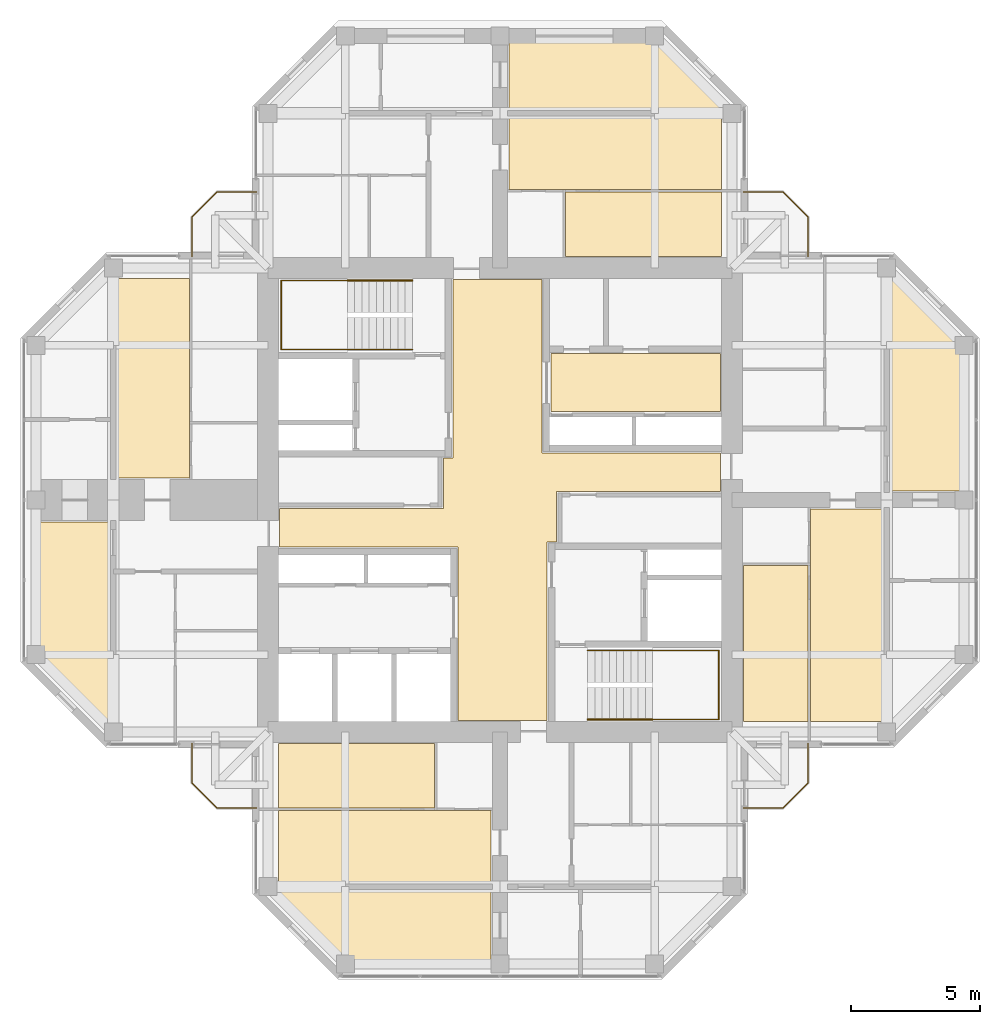
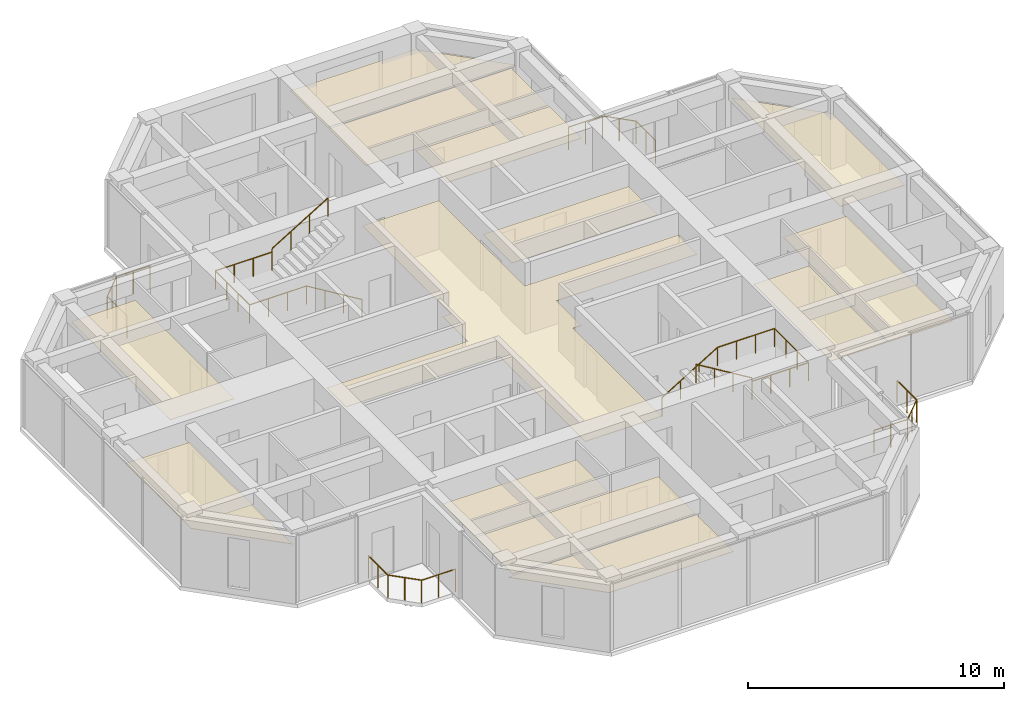
# One storey, part 13 of 13: 13 coverings, 8 railings.
"""IFC4 building model written with IfcOpenShell, lengths in metres."""

from ifc_helpers import new_model, si_unit, direction, frame, origin, origin_2d, place, context, subcontext, project, spatial, polyline, circle, outline, extrude, material, layer, layer_set, constituent, constituent_set, type_object, element, save


model = new_model("IFC4")

# Units and contexts
model_context = context("Model", 3, precision=1e-05, world=origin(), true_north=direction((0.0, 1.0)))
body_context = subcontext(model_context, "Body", "Model", "MODEL_VIEW")
ifc_project = project(units=[si_unit("LENGTHUNIT", "METRE"), si_unit("AREAUNIT", "SQUARE_METRE"), si_unit("VOLUMEUNIT", "CUBIC_METRE"), si_unit("PLANEANGLEUNIT", "RADIAN"), si_unit("MASSUNIT", "GRAM", prefix="KILO")], contexts=[model_context])

# Site, building, storey
site_placement = place(None, origin())
site = spatial("IfcSite", under=ifc_project, at=site_placement, CompositionType="ELEMENT")
building_placement = place(site_placement, origin())
building = spatial("IfcBuilding", under=site, at=building_placement, Name="Torre Cruceta", CompositionType="ELEMENT")
storey_placement = place(building_placement, frame((0.0, 0.0, 264.5)))
storey = spatial("IfcBuildingStorey", under=building, at=storey_placement, Name="L68", CompositionType="ELEMENT", Elevation=264.5)

# Railings
ifc_material_1 = material(Name="Stainless steel 1.4401", Category="steel")
ifc_constituent_1 = constituent(ifc_material_1, Name="Frame")
ifc_material_2 = material(Name="Laminated safety glass", Category="glass")
ifc_constituent_2 = constituent(ifc_material_2, Name="Infill")
ifc_constituent_set = constituent_set(constituents=[ifc_constituent_1, ifc_constituent_2], Name="Stainless steel and laminated glass balustrade")
railing_type_1 = type_object("IfcRailingType", Name="BALCONY BALUSTRADE 1100", PredefinedType="BALUSTRADE", material=ifc_constituent_set)
railing_1_placement = place(storey_placement, frame((-9.449951171875, 11.949951171875, 0.0)))
element("IfcRailing", 1, at=railing_1_placement, inside=storey, type_object=railing_type_1, Name="BL1 balcony balustrade L68 N", PredefinedType="BALUSTRADE", context=body_context, shape_type="SweptSolid", body=[
    extrude(circle(Radius=0.02392578125, at=origin_2d()), frame((0.0, 0.0, 1.076171875), z_axis=(-1.0, 0.0, 0.0), x_axis=(0.0, -1.0, 0.0)), (0.0, 0.0, 1.0), 1.529296875),
    extrude(circle(Radius=0.02392578125, at=origin_2d()), frame((-1.529296875, 0.0, 1.076171875), z_axis=(-0.707106781187, -0.707106781187, 0.0), x_axis=(0.707106781187, -0.707106781187, 0.0)), (0.0, 0.0, 1.0), 1.372802734375),
    extrude(circle(Radius=0.02392578125, at=origin_2d()), frame((-2.5, -0.970703125, 1.076171875), z_axis=(0.0, -1.0, 0.0), x_axis=(1.0, 0.0, 0.0)), (0.0, 0.0, 1.0), 1.529296875),
    extrude(circle(Radius=0.02099609375, at=origin_2d()), origin(), (0.0, 0.0, 1.0), 1.052001953125),
    extrude(circle(Radius=0.02099609375, at=origin_2d()), frame((-0.7646484375, 0.0, 0.0)), (0.0, 0.0, 1.0), 1.052001953125),
    extrude(circle(Radius=0.02099609375, at=origin_2d()), frame((-1.529296875, 0.0, 0.0)), (0.0, 0.0, 1.0), 1.052001953125),
    extrude(circle(Radius=0.02099609375, at=origin_2d()), frame((-2.0146484375, -0.4853515625, 0.0)), (0.0, 0.0, 1.0), 1.052001953125),
    extrude(circle(Radius=0.02099609375, at=origin_2d()), frame((-2.5, -0.970703125, 0.0)), (0.0, 0.0, 1.0), 1.052001953125),
    extrude(circle(Radius=0.02099609375, at=origin_2d()), frame((-2.5, -1.7353515625, 0.0)), (0.0, 0.0, 1.0), 1.052001953125),
    extrude(circle(Radius=0.02099609375, at=origin_2d()), frame((-2.5, -2.5, 0.0)), (0.0, 0.0, 1.0), 1.052001953125),
])
railing_2_placement = place(storey_placement, frame((9.449951171875, 11.949951171875, 0.0)))
element("IfcRailing", 2, at=railing_2_placement, inside=storey, type_object=railing_type_1, Name="BL1 balcony balustrade L68 E", PredefinedType="BALUSTRADE", context=body_context, shape_type="SweptSolid", body=[
    extrude(circle(Radius=0.02392578125, at=origin_2d()), frame((0.0, 0.0, 1.076171875), z_axis=(1.0, 0.0, 0.0), x_axis=(0.0, 1.0, 0.0)), (0.0, 0.0, 1.0), 1.529296875),
    extrude(circle(Radius=0.02392578125, at=origin_2d()), frame((1.529296875, 0.0, 1.076171875), z_axis=(0.707106781187, -0.707106781187, 0.0), x_axis=(0.707106781187, 0.707106781187, 0.0)), (0.0, 0.0, 1.0), 1.372802734375),
    extrude(circle(Radius=0.02392578125, at=origin_2d()), frame((2.5, -0.970703125, 1.076171875), z_axis=(0.0, -1.0, 0.0), x_axis=(1.0, 0.0, 0.0)), (0.0, 0.0, 1.0), 1.529296875),
    extrude(circle(Radius=0.02099609375, at=origin_2d()), origin(), (0.0, 0.0, 1.0), 1.052001953125),
    extrude(circle(Radius=0.02099609375, at=origin_2d()), frame((0.7646484375, 0.0, 0.0)), (0.0, 0.0, 1.0), 1.052001953125),
    extrude(circle(Radius=0.02099609375, at=origin_2d()), frame((1.529296875, 0.0, 0.0)), (0.0, 0.0, 1.0), 1.052001953125),
    extrude(circle(Radius=0.02099609375, at=origin_2d()), frame((2.0146484375, -0.4853515625, 0.0)), (0.0, 0.0, 1.0), 1.052001953125),
    extrude(circle(Radius=0.02099609375, at=origin_2d()), frame((2.5, -0.970703125, 0.0)), (0.0, 0.0, 1.0), 1.052001953125),
    extrude(circle(Radius=0.02099609375, at=origin_2d()), frame((2.5, -1.7353515625, 0.0)), (0.0, 0.0, 1.0), 1.052001953125),
    extrude(circle(Radius=0.02099609375, at=origin_2d()), frame((2.5, -2.5, 0.0)), (0.0, 0.0, 1.0), 1.052001953125),
])
railing_3_placement = place(storey_placement, frame((9.449951171875, -11.949951171875, 0.0)))
element("IfcRailing", 3, at=railing_3_placement, inside=storey, type_object=railing_type_1, Name="BL1 balcony balustrade L68 S", PredefinedType="BALUSTRADE", context=body_context, shape_type="SweptSolid", body=[
    extrude(circle(Radius=0.02392578125, at=origin_2d()), frame((0.0, 0.0, 1.076171875), z_axis=(1.0, 0.0, 0.0), x_axis=(0.0, 1.0, 0.0)), (0.0, 0.0, 1.0), 1.529296875),
    extrude(circle(Radius=0.02392578125, at=origin_2d()), frame((1.529296875, 0.0, 1.076171875), z_axis=(0.707106781187, 0.707106781187, 0.0), x_axis=(-0.707106781187, 0.707106781187, 0.0)), (0.0, 0.0, 1.0), 1.372802734375),
    extrude(circle(Radius=0.02392578125, at=origin_2d()), frame((2.5, 0.970703125, 1.076171875), z_axis=(0.0, 1.0, 0.0), x_axis=(-1.0, 0.0, 0.0)), (0.0, 0.0, 1.0), 1.529296875),
    extrude(circle(Radius=0.02099609375, at=origin_2d()), origin(), (0.0, 0.0, 1.0), 1.052001953125),
    extrude(circle(Radius=0.02099609375, at=origin_2d()), frame((0.7646484375, 0.0, 0.0)), (0.0, 0.0, 1.0), 1.052001953125),
    extrude(circle(Radius=0.02099609375, at=origin_2d()), frame((1.529296875, 0.0, 0.0)), (0.0, 0.0, 1.0), 1.052001953125),
    extrude(circle(Radius=0.02099609375, at=origin_2d()), frame((2.0146484375, 0.4853515625, 0.0)), (0.0, 0.0, 1.0), 1.052001953125),
    extrude(circle(Radius=0.02099609375, at=origin_2d()), frame((2.5, 0.970703125, 0.0)), (0.0, 0.0, 1.0), 1.052001953125),
    extrude(circle(Radius=0.02099609375, at=origin_2d()), frame((2.5, 1.7353515625, 0.0)), (0.0, 0.0, 1.0), 1.052001953125),
    extrude(circle(Radius=0.02099609375, at=origin_2d()), frame((2.5, 2.5, 0.0)), (0.0, 0.0, 1.0), 1.052001953125),
])
railing_4_placement = place(storey_placement, frame((-9.449951171875, -11.949951171875, 0.0)))
element("IfcRailing", 4, at=railing_4_placement, inside=storey, type_object=railing_type_1, Name="BL1 balcony balustrade L68 W", PredefinedType="BALUSTRADE", context=body_context, shape_type="SweptSolid", body=[
    extrude(circle(Radius=0.02392578125, at=origin_2d()), frame((0.0, 0.0, 1.076171875), z_axis=(-1.0, 0.0, 0.0), x_axis=(0.0, -1.0, 0.0)), (0.0, 0.0, 1.0), 1.529296875),
    extrude(circle(Radius=0.02392578125, at=origin_2d()), frame((-1.529296875, 0.0, 1.076171875), z_axis=(-0.707106781187, 0.707106781187, 0.0), x_axis=(-0.707106781187, -0.707106781187, 0.0)), (0.0, 0.0, 1.0), 1.372802734375),
    extrude(circle(Radius=0.02392578125, at=origin_2d()), frame((-2.5, 0.970703125, 1.076171875), z_axis=(0.0, 1.0, 0.0), x_axis=(-1.0, 0.0, 0.0)), (0.0, 0.0, 1.0), 1.529296875),
    extrude(circle(Radius=0.02099609375, at=origin_2d()), origin(), (0.0, 0.0, 1.0), 1.052001953125),
    extrude(circle(Radius=0.02099609375, at=origin_2d()), frame((-0.7646484375, 0.0, 0.0)), (0.0, 0.0, 1.0), 1.052001953125),
    extrude(circle(Radius=0.02099609375, at=origin_2d()), frame((-1.529296875, 0.0, 0.0)), (0.0, 0.0, 1.0), 1.052001953125),
    extrude(circle(Radius=0.02099609375, at=origin_2d()), frame((-2.0146484375, 0.4853515625, 0.0)), (0.0, 0.0, 1.0), 1.052001953125),
    extrude(circle(Radius=0.02099609375, at=origin_2d()), frame((-2.5, 0.970703125, 0.0)), (0.0, 0.0, 1.0), 1.052001953125),
    extrude(circle(Radius=0.02099609375, at=origin_2d()), frame((-2.5, 1.7353515625, 0.0)), (0.0, 0.0, 1.0), 1.052001953125),
    extrude(circle(Radius=0.02099609375, at=origin_2d()), frame((-2.5, 2.5, 0.0)), (0.0, 0.0, 1.0), 1.052001953125),
])
ifc_material_3 = material(Name="Stainless steel 1.4401", Category="steel")
railing_type_2 = type_object("IfcRailingType", Name="HANDRAIL 900", PredefinedType="HANDRAIL", material=ifc_material_3)
railing_5_placement = place(storey_placement, frame((-3.39990234375, 5.8349609375, 0.169921875)))
element("IfcRailing", 5, at=railing_5_placement, inside=storey, type_object=railing_type_2, Name="Handrail HR1 ST1 L68", PredefinedType="HANDRAIL", context=body_context, shape_type="SweptSolid", body=[
    extrude(circle(Radius=0.02392578125, at=origin_2d()), frame((0.0, 0.0, 0.8759765625), z_axis=(-0.85478489116, 0.0, 0.518982456201), x_axis=(0.0, -1.0, 0.0)), (0.0, 0.0, 1.0), 2.9482421875),
    extrude(circle(Radius=0.02392578125, at=origin_2d()), frame((-2.52001953125, 0.0, 2.40576171875), z_axis=(-1.0, 0.0, 0.0), x_axis=(0.0, -1.0, 0.0)), (0.0, 0.0, 1.0), 2.570068359375),
    extrude(circle(Radius=0.02392578125, at=origin_2d()), frame((-5.090087890625, 0.0, 2.40576171875), z_axis=(0.0, 1.0, 0.0), x_axis=(-1.0, 0.0, 0.0)), (0.0, 0.0, 1.0), 2.679931640625),
    extrude(circle(Radius=0.02392578125, at=origin_2d()), frame((-5.090087890625, 2.679931640625, 2.40576171875), z_axis=(1.0, 0.0, 0.0), x_axis=(0.0, 1.0, 0.0)), (0.0, 0.0, 1.0), 2.570068359375),
    extrude(circle(Radius=0.02099609375, at=origin_2d()), origin(), (0.0, 0.0, 1.0), 0.851806640625),
    extrude(circle(Radius=0.02099609375, at=origin_2d()), frame((-0.840087890625, 0.0, 0.510009765625)), (0.0, 0.0, 1.0), 0.851806640625),
    extrude(circle(Radius=0.02099609375, at=origin_2d()), frame((-1.679931640625, 0.0, 1.02001953125)), (0.0, 0.0, 1.0), 0.851806640625),
    extrude(circle(Radius=0.02099609375, at=origin_2d()), frame((-2.52001953125, 0.0, 1.530029296875)), (0.0, 0.0, 1.0), 0.851806640625),
    extrude(circle(Radius=0.02099609375, at=origin_2d()), frame((-3.376708984375, 0.0, 1.530029296875)), (0.0, 0.0, 1.0), 0.851806640625),
    extrude(circle(Radius=0.02099609375, at=origin_2d()), frame((-4.2333984375, 0.0, 1.530029296875)), (0.0, 0.0, 1.0), 0.851806640625),
    extrude(circle(Radius=0.02099609375, at=origin_2d()), frame((-5.090087890625, 0.0, 1.530029296875)), (0.0, 0.0, 1.0), 0.851806640625),
    extrude(circle(Radius=0.02099609375, at=origin_2d()), frame((-5.090087890625, 0.893310546875, 1.530029296875)), (0.0, 0.0, 1.0), 0.851806640625),
    extrude(circle(Radius=0.02099609375, at=origin_2d()), frame((-5.090087890625, 1.78662109375, 1.530029296875)), (0.0, 0.0, 1.0), 0.851806640625),
    extrude(circle(Radius=0.02099609375, at=origin_2d()), frame((-5.090087890625, 2.679931640625, 1.530029296875)), (0.0, 0.0, 1.0), 0.851806640625),
    extrude(circle(Radius=0.02099609375, at=origin_2d()), frame((-4.2333984375, 2.679931640625, 1.530029296875)), (0.0, 0.0, 1.0), 0.851806640625),
    extrude(circle(Radius=0.02099609375, at=origin_2d()), frame((-3.376708984375, 2.679931640625, 1.530029296875)), (0.0, 0.0, 1.0), 0.851806640625),
    extrude(circle(Radius=0.02099609375, at=origin_2d()), frame((-2.52001953125, 2.679931640625, 1.530029296875)), (0.0, 0.0, 1.0), 0.851806640625),
])
railing_6_placement = place(storey_placement, frame((-5.919921875, 8.514892578125, 1.8701171875)))
element("IfcRailing", 6, at=railing_6_placement, inside=storey, type_object=railing_type_2, Name="Handrail HR1 ST1 L68", PredefinedType="HANDRAIL", context=body_context, shape_type="SweptSolid", body=[
    extrude(circle(Radius=0.02392578125, at=origin_2d()), frame((0.0, 0.0, 0.8759765625), z_axis=(0.854821627497, 0.0, 0.518921945155), x_axis=(0.0, 1.0, 0.0)), (0.0, 0.0, 1.0), 2.947998046875),
    extrude(circle(Radius=0.02099609375, at=origin_2d()), origin(), (0.0, 0.0, 1.0), 0.851806640625),
    extrude(circle(Radius=0.02099609375, at=origin_2d()), frame((0.840087890625, 0.0, 0.510009765625)), (0.0, 0.0, 1.0), 0.851806640625),
    extrude(circle(Radius=0.02099609375, at=origin_2d()), frame((1.679931640625, 0.0, 1.019775390625)), (0.0, 0.0, 1.0), 0.851806640625),
    extrude(circle(Radius=0.02099609375, at=origin_2d()), frame((2.52001953125, 0.0, 1.52978515625)), (0.0, 0.0, 1.0), 0.851806640625),
])
railing_7_placement = place(storey_placement, frame((3.39990234375, -5.8349609375, 0.169921875)))
element("IfcRailing", 7, at=railing_7_placement, inside=storey, type_object=railing_type_2, Name="Handrail HR1 ST2 L68", PredefinedType="HANDRAIL", context=body_context, shape_type="SweptSolid", body=[
    extrude(circle(Radius=0.02392578125, at=origin_2d()), frame((0.0, 0.0, 0.8759765625), z_axis=(0.85478489116, 0.0, 0.518982456201), x_axis=(0.0, 1.0, 0.0)), (0.0, 0.0, 1.0), 2.9482421875),
    extrude(circle(Radius=0.02392578125, at=origin_2d()), frame((2.52001953125, 0.0, 2.40576171875), z_axis=(1.0, 0.0, 0.0), x_axis=(0.0, 1.0, 0.0)), (0.0, 0.0, 1.0), 2.570068359375),
    extrude(circle(Radius=0.02392578125, at=origin_2d()), frame((5.090087890625, 0.0, 2.40576171875), z_axis=(0.0, -1.0, 0.0), x_axis=(1.0, 0.0, 0.0)), (0.0, 0.0, 1.0), 2.679931640625),
    extrude(circle(Radius=0.02392578125, at=origin_2d()), frame((5.090087890625, -2.679931640625, 2.40576171875), z_axis=(-1.0, 0.0, 0.0), x_axis=(0.0, -1.0, 0.0)), (0.0, 0.0, 1.0), 2.570068359375),
    extrude(circle(Radius=0.02099609375, at=origin_2d()), origin(), (0.0, 0.0, 1.0), 0.851806640625),
    extrude(circle(Radius=0.02099609375, at=origin_2d()), frame((0.840087890625, 0.0, 0.510009765625)), (0.0, 0.0, 1.0), 0.851806640625),
    extrude(circle(Radius=0.02099609375, at=origin_2d()), frame((1.679931640625, 0.0, 1.02001953125)), (0.0, 0.0, 1.0), 0.851806640625),
    extrude(circle(Radius=0.02099609375, at=origin_2d()), frame((2.52001953125, 0.0, 1.530029296875)), (0.0, 0.0, 1.0), 0.851806640625),
    extrude(circle(Radius=0.02099609375, at=origin_2d()), frame((3.376708984375, 0.0, 1.530029296875)), (0.0, 0.0, 1.0), 0.851806640625),
    extrude(circle(Radius=0.02099609375, at=origin_2d()), frame((4.2333984375, 0.0, 1.530029296875)), (0.0, 0.0, 1.0), 0.851806640625),
    extrude(circle(Radius=0.02099609375, at=origin_2d()), frame((5.090087890625, 0.0, 1.530029296875)), (0.0, 0.0, 1.0), 0.851806640625),
    extrude(circle(Radius=0.02099609375, at=origin_2d()), frame((5.090087890625, -0.893310546875, 1.530029296875)), (0.0, 0.0, 1.0), 0.851806640625),
    extrude(circle(Radius=0.02099609375, at=origin_2d()), frame((5.090087890625, -1.78662109375, 1.530029296875)), (0.0, 0.0, 1.0), 0.851806640625),
    extrude(circle(Radius=0.02099609375, at=origin_2d()), frame((5.090087890625, -2.679931640625, 1.530029296875)), (0.0, 0.0, 1.0), 0.851806640625),
    extrude(circle(Radius=0.02099609375, at=origin_2d()), frame((4.2333984375, -2.679931640625, 1.530029296875)), (0.0, 0.0, 1.0), 0.851806640625),
    extrude(circle(Radius=0.02099609375, at=origin_2d()), frame((3.376708984375, -2.679931640625, 1.530029296875)), (0.0, 0.0, 1.0), 0.851806640625),
    extrude(circle(Radius=0.02099609375, at=origin_2d()), frame((2.52001953125, -2.679931640625, 1.530029296875)), (0.0, 0.0, 1.0), 0.851806640625),
])
railing_8_placement = place(storey_placement, frame((5.919921875, -8.514892578125, 1.8701171875)))
element("IfcRailing", 8, at=railing_8_placement, inside=storey, type_object=railing_type_2, Name="Handrail HR1 ST2 L68", PredefinedType="HANDRAIL", context=body_context, shape_type="SweptSolid", body=[
    extrude(circle(Radius=0.02392578125, at=origin_2d()), frame((0.0, 0.0, 0.8759765625), z_axis=(-0.854821627497, 0.0, 0.518921945155), x_axis=(0.0, -1.0, 0.0)), (0.0, 0.0, 1.0), 2.947998046875),
    extrude(circle(Radius=0.02099609375, at=origin_2d()), origin(), (0.0, 0.0, 1.0), 0.851806640625),
    extrude(circle(Radius=0.02099609375, at=origin_2d()), frame((-0.840087890625, 0.0, 0.510009765625)), (0.0, 0.0, 1.0), 0.851806640625),
    extrude(circle(Radius=0.02099609375, at=origin_2d()), frame((-1.679931640625, 0.0, 1.019775390625)), (0.0, 0.0, 1.0), 0.851806640625),
    extrude(circle(Radius=0.02099609375, at=origin_2d()), frame((-2.52001953125, 0.0, 1.52978515625)), (0.0, 0.0, 1.0), 0.851806640625),
])

# Coverings
ifc_material_4 = material(Name="Mineral fibre ceiling tile", Category="gypsum")
ifc_layer = layer(ifc_material_4, 0.02001953125)
ifc_layer_set = layer_set([ifc_layer], Name="Mineral fibre ceiling tile")
covering_type = type_object("IfcCoveringType", Name="SUSPENDED CEILING 20", PredefinedType="CEILING", material=ifc_layer_set)
covering_1_placement = place(storey_placement, frame((0.0, 0.0, 2.35009765625)))
element("IfcCovering", 9, at=covering_1_placement, inside=storey, type_object=covering_type, Name="Ceiling L68-003", PredefinedType="CEILING", context=body_context, shape_type="SweptSolid", body=[
    extrude(outline(polyline([(1.824951171875, -8.550048828125), (-1.625, -8.550048828125), (-1.625, -1.824951171875), (-8.550048828125, -1.824951171875), (-8.550048828125, -0.324951171875), (-2.199951171875, -0.324951171875), (-2.199951171875, 1.625), (-1.824951171875, 1.625), (-1.824951171875, 8.550048828125), (1.625, 8.550048828125), (1.625, 1.824951171875), (8.550048828125, 1.824951171875), (8.550048828125, 0.324951171875), (2.199951171875, 0.324951171875), (2.199951171875, -1.625), (1.824951171875, -1.625), (1.824951171875, -8.550048828125)])), origin(), (0.0, 0.0, 1.0), 0.02001953125),
])
covering_2_placement = place(storey_placement, frame((0.0, 0.0, 2.35009765625)))
element("IfcCovering", 10, at=covering_2_placement, inside=storey, type_object=covering_type, Name="Ceiling L68-006", PredefinedType="CEILING", context=body_context, shape_type="SweptSolid", body=[
    extrude(outline(polyline([(1.97509765625, 3.425048828125), (1.97509765625, 5.675048828125), (8.550048828125, 5.675048828125), (8.550048828125, 3.425048828125), (1.97509765625, 3.425048828125)])), origin(), (0.0, 0.0, 1.0), 0.02001953125),
])
covering_3_placement = place(storey_placement, frame((0.0, 0.0, 2.35009765625)))
element("IfcCovering", 11, at=covering_3_placement, inside=storey, type_object=covering_type, Name="Ceiling L68-027", PredefinedType="CEILING", context=body_context, shape_type="SweptSolid", body=[
    extrude(outline(polyline([(8.60009765625, 14.949951171875), (8.60009765625, 12.050048828125), (0.35009765625, 12.050048828125), (0.35009765625, 14.949951171875), (8.60009765625, 14.949951171875)])), origin(), (0.0, 0.0, 1.0), 0.02001953125),
])
covering_4_placement = place(storey_placement, frame((0.0, 0.0, 2.35009765625)))
element("IfcCovering", 12, at=covering_4_placement, inside=storey, type_object=covering_type, Name="Ceiling L68-028", PredefinedType="CEILING", context=body_context, shape_type="SweptSolid", body=[
    extrude(outline(polyline([(8.60009765625, 9.449951171875), (2.550048828125, 9.449951171875), (2.550048828125, 11.949951171875), (8.60009765625, 11.949951171875), (8.60009765625, 9.449951171875)])), origin(), (0.0, 0.0, 1.0), 0.02001953125),
])
covering_5_placement = place(storey_placement, frame((0.0, 0.0, 2.35009765625)))
element("IfcCovering", 13, at=covering_5_placement, inside=storey, type_object=covering_type, Name="Ceiling L68-032", PredefinedType="CEILING", context=body_context, shape_type="SweptSolid", body=[
    extrude(outline(polyline([(8.87939453125, 15.050048828125), (0.35009765625, 15.050048828125), (0.35009765625, 17.949951171875), (5.979248046875, 17.949951171875), (8.87939453125, 15.050048828125)])), origin(), (0.0, 0.0, 1.0), 0.02001953125),
])
covering_6_placement = place(storey_placement, frame((0.0, 0.0, 2.35009765625)))
element("IfcCovering", 14, at=covering_6_placement, inside=storey, type_object=covering_type, Name="Ceiling L68-037", PredefinedType="CEILING", context=body_context, shape_type="SweptSolid", body=[
    extrude(outline(polyline([(14.949951171875, -8.60009765625), (12.050048828125, -8.60009765625), (12.050048828125, -0.35009765625), (14.949951171875, -0.35009765625), (14.949951171875, -8.60009765625)])), origin(), (0.0, 0.0, 1.0), 0.02001953125),
])
covering_7_placement = place(storey_placement, frame((0.0, 0.0, 2.35009765625)))
element("IfcCovering", 15, at=covering_7_placement, inside=storey, type_object=covering_type, Name="Ceiling L68-038", PredefinedType="CEILING", context=body_context, shape_type="SweptSolid", body=[
    extrude(outline(polyline([(9.449951171875, -8.60009765625), (9.449951171875, -2.550048828125), (11.949951171875, -2.550048828125), (11.949951171875, -8.60009765625), (9.449951171875, -8.60009765625)])), origin(), (0.0, 0.0, 1.0), 0.02001953125),
])
covering_8_placement = place(storey_placement, frame((0.0, 0.0, 2.35009765625)))
element("IfcCovering", 16, at=covering_8_placement, inside=storey, type_object=covering_type, Name="Ceiling L68-040", PredefinedType="CEILING", context=body_context, shape_type="SweptSolid", body=[
    extrude(outline(polyline([(17.949951171875, 5.979248046875), (17.949951171875, 0.35009765625), (15.050048828125, 0.35009765625), (15.050048828125, 8.87939453125), (17.949951171875, 5.979248046875)])), origin(), (0.0, 0.0, 1.0), 0.02001953125),
])
covering_9_placement = place(storey_placement, frame((0.0, 0.0, 2.35009765625)))
element("IfcCovering", 17, at=covering_9_placement, inside=storey, type_object=covering_type, Name="Ceiling L68-047", PredefinedType="CEILING", context=body_context, shape_type="SweptSolid", body=[
    extrude(outline(polyline([(-8.60009765625, -14.949951171875), (-8.60009765625, -12.050048828125), (-0.35009765625, -12.050048828125), (-0.35009765625, -14.949951171875), (-8.60009765625, -14.949951171875)])), origin(), (0.0, 0.0, 1.0), 0.02001953125),
])
covering_10_placement = place(storey_placement, frame((0.0, 0.0, 2.35009765625)))
element("IfcCovering", 18, at=covering_10_placement, inside=storey, type_object=covering_type, Name="Ceiling L68-048", PredefinedType="CEILING", context=body_context, shape_type="SweptSolid", body=[
    extrude(outline(polyline([(-8.60009765625, -9.449951171875), (-2.550048828125, -9.449951171875), (-2.550048828125, -11.949951171875), (-8.60009765625, -11.949951171875), (-8.60009765625, -9.449951171875)])), origin(), (0.0, 0.0, 1.0), 0.02001953125),
])
covering_11_placement = place(storey_placement, frame((0.0, 0.0, 2.35009765625)))
element("IfcCovering", 19, at=covering_11_placement, inside=storey, type_object=covering_type, Name="Ceiling L68-052", PredefinedType="CEILING", context=body_context, shape_type="SweptSolid", body=[
    extrude(outline(polyline([(-8.87939453125, -15.050048828125), (-0.35009765625, -15.050048828125), (-0.35009765625, -17.949951171875), (-5.979248046875, -17.949951171875), (-8.87939453125, -15.050048828125)])), origin(), (0.0, 0.0, 1.0), 0.02001953125),
])
covering_12_placement = place(storey_placement, frame((0.0, 0.0, 2.35009765625)))
element("IfcCovering", 20, at=covering_12_placement, inside=storey, type_object=covering_type, Name="Ceiling L68-057", PredefinedType="CEILING", context=body_context, shape_type="SweptSolid", body=[
    extrude(outline(polyline([(-14.949951171875, 8.60009765625), (-12.050048828125, 8.60009765625), (-12.050048828125, 0.85009765625), (-14.949951171875, 0.85009765625), (-14.949951171875, 8.60009765625)])), origin(), (0.0, 0.0, 1.0), 0.02001953125),
])
covering_13_placement = place(storey_placement, frame((0.0, 0.0, 2.35009765625)))
element("IfcCovering", 21, at=covering_13_placement, inside=storey, type_object=covering_type, Name="Ceiling L68-060", PredefinedType="CEILING", context=body_context, shape_type="SweptSolid", body=[
    extrude(outline(polyline([(-17.949951171875, -5.979248046875), (-17.949951171875, -0.85009765625), (-15.050048828125, -0.85009765625), (-15.050048828125, -8.87939453125), (-17.949951171875, -5.979248046875)])), origin(), (0.0, 0.0, 1.0), 0.02001953125),
])

save(model, "model.ifc")
